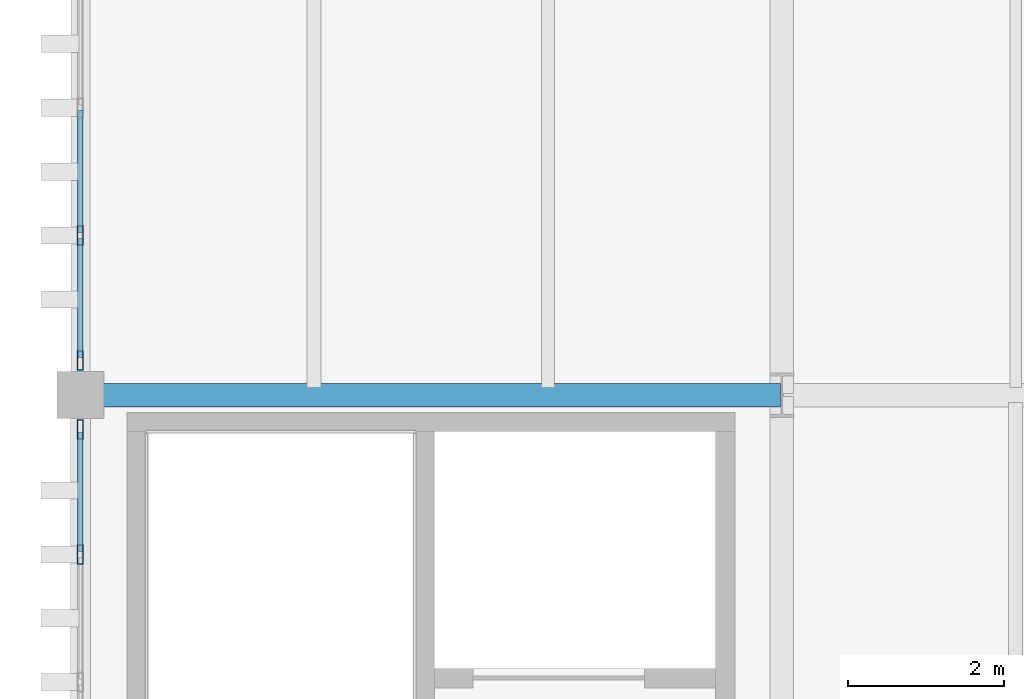
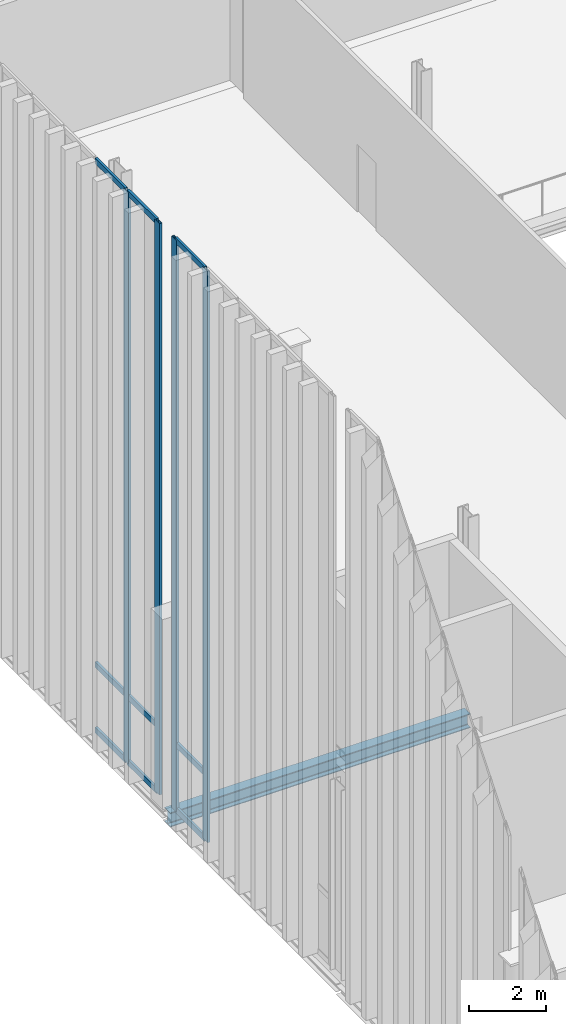
# One storey, part 40 of 237: 13 members, 1 beam, 2 elements without a shape of their own.
"""IFC4 building model written with IfcOpenShell, lengths in metres."""

from ifc_helpers import new_model, si_unit, direction, frame, origin, origin_2d, place, context, subcontext, project, spatial, hollow_rectangle, i_section, extrude, material, layer, layer_set, material_profile, profile_set, type_object, element, aggregate, save


model = new_model("IFC4")

# Units and contexts
model_context = context("Model", 3, precision=1e-05, world=origin(), true_north=direction((0.0, 1.0)))
body_context = subcontext(model_context, "Body", "Model", "MODEL_VIEW")
ifc_project = project(units=[si_unit("LENGTHUNIT", "METRE"), si_unit("AREAUNIT", "SQUARE_METRE"), si_unit("VOLUMEUNIT", "CUBIC_METRE"), si_unit("PLANEANGLEUNIT", "RADIAN"), si_unit("MASSUNIT", "GRAM", prefix="KILO")], contexts=[model_context])

# Site, building, storey
site_placement = place(None, origin())
site = spatial("IfcSite", under=ifc_project, at=site_placement, CompositionType="ELEMENT")
building_placement = place(site_placement, origin())
building = spatial("IfcBuilding", under=site, at=building_placement, Name="Barlavento Convention Centre", CompositionType="ELEMENT")
storey_placement = place(building_placement, frame((0.0, 0.0, 12.0)))
storey = spatial("IfcBuildingStorey", under=building, at=storey_placement, Name="L02", CompositionType="ELEMENT", Elevation=12.0)

# Curtain wall, members
ifc_material_1 = material(Name="Powder-coated aluminium and Low-E glass", Category="aluminium")
ifc_layer = layer(ifc_material_1, 0.18994140625)
ifc_layer_set = layer_set([ifc_layer], Name="ARC-CW-CONG-L02")
curtain_wall_type = type_object("IfcCurtainWallType", Name="ARC-CW-CONG-L02", PredefinedType="NOTDEFINED", material=ifc_layer_set)
curtain_wall_1_placement = place(storey_placement, origin())
curtain_wall_1 = element("IfcCurtainWall", 1, at=curtain_wall_1_placement, inside=storey, type_object=curtain_wall_type, Name="L02 unitised curtain wall CW02", PredefinedType="NOTDEFINED")
ifc_material_2 = material(Name="Powder-coated aluminium", Category="aluminium")
ifc_material_profile_1 = material_profile(ifc_material_2, hollow_rectangle(XDim=0.074951171875, YDim=0.25, WallThickness=0.006103515625, at=origin_2d()), Name="AL-MULL 75x250x6")
ifc_profile_set_1 = profile_set([ifc_material_profile_1], Name="Powder-coated aluminium")
member_type_1 = type_object("IfcMemberType", Name="ARC-CWM-75X250", PredefinedType="MULLION", material=ifc_profile_set_1)
member_1_placement = place(storey_placement, frame((0.0, 24.95703125, 0.0), z_axis=(0.0, 0.0, 1.0), x_axis=(-1.0, 0.0, 0.0)))
member_1 = element("IfcMember", 2, at=member_1_placement, type_object=member_type_1, Name="CW02 mullion 5", PredefinedType="MULLION", context=body_context, shape_type="SweptSolid", body=[
    extrude(hollow_rectangle(XDim=0.074951171875, YDim=0.25, WallThickness=0.006103515625, at=origin_2d()), origin(), (0.0, 0.0, 1.0), 18.037109375),
])
member_2_placement = place(storey_placement, frame((0.0, 26.5576171875, 0.0), z_axis=(0.0, 0.0, 1.0), x_axis=(-1.0, 0.0, 0.0)))
member_2 = element("IfcMember", 3, at=member_2_placement, type_object=member_type_1, Name="CW02 mullion 6", PredefinedType="MULLION", context=body_context, shape_type="SweptSolid", body=[
    extrude(hollow_rectangle(XDim=0.074951171875, YDim=0.25, WallThickness=0.006103515625, at=origin_2d()), origin(), (0.0, 0.0, 1.0), 18.037109375),
])

curtain_wall_2_placement = place(storey_placement, origin())
curtain_wall_2 = element("IfcCurtainWall", 4, at=curtain_wall_2_placement, inside=storey, type_object=curtain_wall_type, Name="L02 unitised curtain wall CW02", PredefinedType="NOTDEFINED")
member_3_placement = place(storey_placement, frame((0.0, 27.4423828125, 0.0), z_axis=(0.0, 0.0, 1.0), x_axis=(-1.0, 0.0, 0.0)))
member_3 = element("IfcMember", 5, at=member_3_placement, type_object=member_type_1, Name="CW02 mullion 1", PredefinedType="MULLION", context=body_context, shape_type="SweptSolid", body=[
    extrude(hollow_rectangle(XDim=0.074951171875, YDim=0.25, WallThickness=0.006103515625, at=origin_2d()), origin(), (0.0, 0.0, 1.0), 18.037109375),
])
member_4_placement = place(storey_placement, frame((0.0, 29.0458984375, 0.0), z_axis=(0.0, 0.0, 1.0), x_axis=(-1.0, 0.0, 0.0)))
member_4 = element("IfcMember", 6, at=member_4_placement, type_object=member_type_1, Name="CW02 mullion 2", PredefinedType="MULLION", context=body_context, shape_type="SweptSolid", body=[
    extrude(hollow_rectangle(XDim=0.074951171875, YDim=0.25, WallThickness=0.006103515625, at=origin_2d()), origin(), (0.0, 0.0, 1.0), 18.037109375),
])

# Member
ifc_material_profile_2 = material_profile(ifc_material_2, hollow_rectangle(XDim=0.070068359375, YDim=0.179931640625, WallThickness=0.0048828125, at=origin_2d()), Name="AL-TRAN 70x180x5")
ifc_profile_set_2 = profile_set([ifc_material_profile_2], Name="Powder-coated aluminium")
member_type_2 = type_object("IfcMemberType", Name="ARC-CWT-70X180", PredefinedType="USERDEFINED", material=ifc_profile_set_2)
member_5_placement = place(storey_placement, frame((0.0, 24.994384765625, 0.034912109375), z_axis=(0.0, 1.0, 0.0), x_axis=(-1.0, 0.0, 0.0)))
member_5 = element("IfcMember", 7, at=member_5_placement, type_object=member_type_2, Name="CW02 transom 5.1", ObjectType="TRANSOM", PredefinedType="USERDEFINED", context=body_context, shape_type="SweptSolid", body=[
    extrude(hollow_rectangle(XDim=0.070068359375, YDim=0.179931640625, WallThickness=0.0048828125, at=origin_2d()), origin(), (0.0, 0.0, 1.0), 1.525634765625),
])

member_6_placement = place(storey_placement, frame((0.0, 24.994384765625, 2.10009765625), z_axis=(0.0, 1.0, 0.0), x_axis=(-1.0, 0.0, 0.0)))
member_6 = element("IfcMember", 8, at=member_6_placement, type_object=member_type_2, Name="CW02 transom 5.2", ObjectType="TRANSOM", PredefinedType="USERDEFINED", context=body_context, shape_type="SweptSolid", body=[
    extrude(hollow_rectangle(XDim=0.070068359375, YDim=0.179931640625, WallThickness=0.0048828125, at=origin_2d()), origin(), (0.0, 0.0, 1.0), 1.525634765625),
])

member_7_placement = place(storey_placement, frame((0.0, 24.994384765625, 18.001953125), z_axis=(0.0, 1.0, 0.0), x_axis=(-1.0, 0.0, 0.0)))
member_7 = element("IfcMember", 9, at=member_7_placement, type_object=member_type_2, Name="CW02 transom 5.3", ObjectType="TRANSOM", PredefinedType="USERDEFINED", context=body_context, shape_type="SweptSolid", body=[
    extrude(hollow_rectangle(XDim=0.070068359375, YDim=0.179931640625, WallThickness=0.0048828125, at=origin_2d()), origin(), (0.0, 0.0, 1.0), 1.525634765625),
])

aggregate(curtain_wall_1, [member_1, member_2, member_5, member_6, member_7])

member_8_placement = place(storey_placement, frame((0.0, 27.47998046875, 0.034912109375), z_axis=(0.0, 1.0, 0.0), x_axis=(-1.0, 0.0, 0.0)))
member_8 = element("IfcMember", 10, at=member_8_placement, type_object=member_type_2, Name="CW02 transom 1.1", ObjectType="TRANSOM", PredefinedType="USERDEFINED", context=body_context, shape_type="SweptSolid", body=[
    extrude(hollow_rectangle(XDim=0.070068359375, YDim=0.179931640625, WallThickness=0.0048828125, at=origin_2d()), origin(), (0.0, 0.0, 1.0), 1.5283203125),
])

member_9_placement = place(storey_placement, frame((0.0, 27.47998046875, 2.10009765625), z_axis=(0.0, 1.0, 0.0), x_axis=(-1.0, 0.0, 0.0)))
member_9 = element("IfcMember", 11, at=member_9_placement, type_object=member_type_2, Name="CW02 transom 1.2", ObjectType="TRANSOM", PredefinedType="USERDEFINED", context=body_context, shape_type="SweptSolid", body=[
    extrude(hollow_rectangle(XDim=0.070068359375, YDim=0.179931640625, WallThickness=0.0048828125, at=origin_2d()), origin(), (0.0, 0.0, 1.0), 1.5283203125),
])

member_10_placement = place(storey_placement, frame((0.0, 27.47998046875, 18.001953125), z_axis=(0.0, 1.0, 0.0), x_axis=(-1.0, 0.0, 0.0)))
member_10 = element("IfcMember", 12, at=member_10_placement, type_object=member_type_2, Name="CW02 transom 1.3", ObjectType="TRANSOM", PredefinedType="USERDEFINED", context=body_context, shape_type="SweptSolid", body=[
    extrude(hollow_rectangle(XDim=0.070068359375, YDim=0.179931640625, WallThickness=0.0048828125, at=origin_2d()), origin(), (0.0, 0.0, 1.0), 1.5283203125),
])

member_11_placement = place(storey_placement, frame((0.0, 29.083251953125, 0.034912109375), z_axis=(0.0, 1.0, 0.0), x_axis=(-1.0, 0.0, 0.0)))
member_11 = element("IfcMember", 13, at=member_11_placement, type_object=member_type_2, Name="CW02 transom 2.1", ObjectType="TRANSOM", PredefinedType="USERDEFINED", context=body_context, shape_type="SweptSolid", body=[
    extrude(hollow_rectangle(XDim=0.070068359375, YDim=0.179931640625, WallThickness=0.0048828125, at=origin_2d()), origin(), (0.0, 0.0, 1.0), 1.56591796875),
])

member_12_placement = place(storey_placement, frame((0.0, 29.083251953125, 2.10009765625), z_axis=(0.0, 1.0, 0.0), x_axis=(-1.0, 0.0, 0.0)))
member_12 = element("IfcMember", 14, at=member_12_placement, type_object=member_type_2, Name="CW02 transom 2.2", ObjectType="TRANSOM", PredefinedType="USERDEFINED", context=body_context, shape_type="SweptSolid", body=[
    extrude(hollow_rectangle(XDim=0.070068359375, YDim=0.179931640625, WallThickness=0.0048828125, at=origin_2d()), origin(), (0.0, 0.0, 1.0), 1.56591796875),
])

member_13_placement = place(storey_placement, frame((0.0, 29.083251953125, 18.001953125), z_axis=(0.0, 1.0, 0.0), x_axis=(-1.0, 0.0, 0.0)))
member_13 = element("IfcMember", 15, at=member_13_placement, type_object=member_type_2, Name="CW02 transom 2.3", ObjectType="TRANSOM", PredefinedType="USERDEFINED", context=body_context, shape_type="SweptSolid", body=[
    extrude(hollow_rectangle(XDim=0.070068359375, YDim=0.179931640625, WallThickness=0.0048828125, at=origin_2d()), origin(), (0.0, 0.0, 1.0), 1.56591796875),
])

aggregate(curtain_wall_2, [member_3, member_4, member_8, member_9, member_10, member_11, member_12, member_13])

# Beam
ifc_material_3 = material(Name="Steel S355", Category="steel")
ifc_material_profile_3 = material_profile(ifc_material_3, i_section(OverallWidth=0.300048828125, OverallDepth=0.449951171875, WebThickness=0.013916015625, FlangeThickness=0.02587890625, FilletRadius=0.027099609375, at=origin_2d()), Name="HEB 450")
ifc_profile_set_3 = profile_set([ifc_material_profile_3], Name="Steel S355")
beam_type = type_object("IfcBeamType", Name="STR-BM-PRI-HEB450", PredefinedType="BEAM", material=ifc_profile_set_3)
beam_placement = place(storey_placement, frame((0.02001953125, 27.0, -0.52490234375), z_axis=(1.0, 0.0, 0.0), x_axis=(0.0, 1.0, 0.0)))
element("IfcBeam", 16, at=beam_placement, inside=storey, type_object=beam_type, Name="L02 primary girder BG10", PredefinedType="BEAM", context=body_context, shape_type="SweptSolid", body=[
    extrude(i_section(OverallWidth=0.300048828125, OverallDepth=0.449951171875, WebThickness=0.013916015625, FlangeThickness=0.02587890625, FilletRadius=0.027099609375, at=origin_2d()), origin(), (0.0, 0.0, 1.0), 8.9599609375),
])

save(model, "model.ifc")
